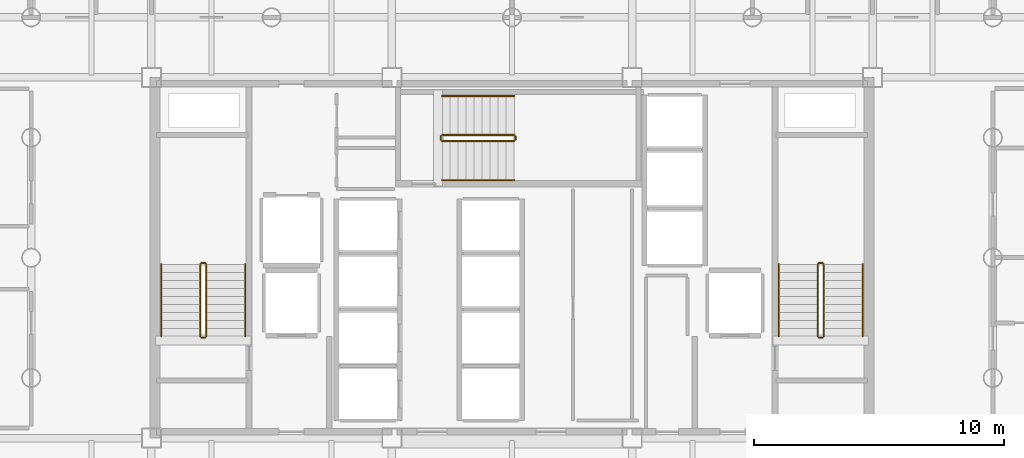
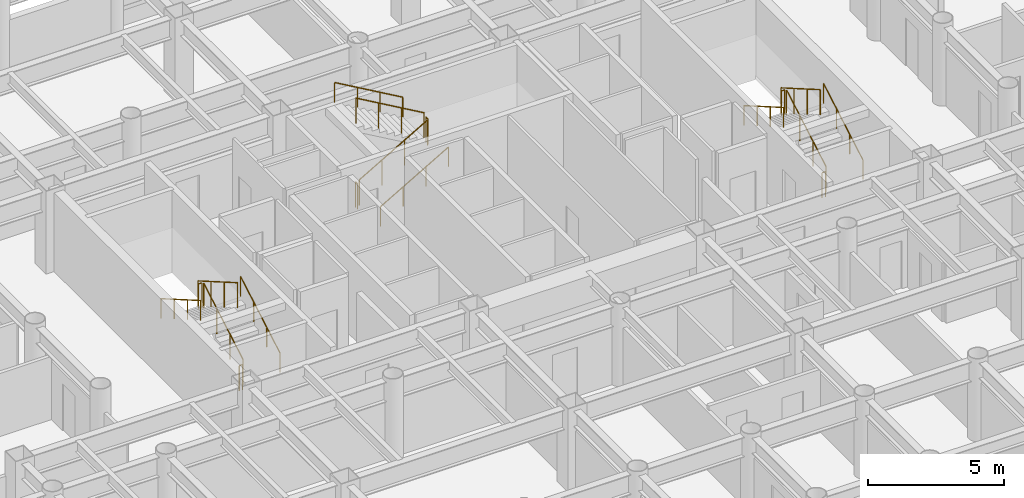
# One storey, part 21 of 21: 18 railings.
"""IFC4 building model written with IfcOpenShell, lengths in metres."""

from ifc_helpers import new_model, si_unit, direction, frame, origin, origin_2d, place, context, subcontext, project, spatial, circle, extrude, material, layer, layer_set, type_object, element, save


model = new_model("IFC4")

# Units and contexts
model_context = context("Model", 3, precision=1e-05, world=origin(), true_north=direction((0.0, 1.0)))
body_context = subcontext(model_context, "Body", "Model", "MODEL_VIEW")
ifc_project = project(units=[si_unit("LENGTHUNIT", "METRE"), si_unit("AREAUNIT", "SQUARE_METRE"), si_unit("VOLUMEUNIT", "CUBIC_METRE"), si_unit("PLANEANGLEUNIT", "RADIAN"), si_unit("MASSUNIT", "GRAM", prefix="KILO")], contexts=[model_context])

# Site, building, storey
site_placement = place(None, origin())
site = spatial("IfcSite", under=ifc_project, at=site_placement, CompositionType="ELEMENT")
building_placement = place(site_placement, origin())
building = spatial("IfcBuilding", under=site, at=building_placement, Name="Kallvorn Hotel Tower", CompositionType="ELEMENT")
storey_placement = place(building_placement, frame((0.0, 0.0, 41.10009765625)))
storey = spatial("IfcBuildingStorey", under=building, at=storey_placement, Name="L08", CompositionType="ELEMENT", Elevation=41.10009765625)

# Railings
ifc_material_1 = material(Name="Brushed stainless-steel tubular railing", Category="steel")
ifc_layer_1 = layer(ifc_material_1, 0.050048828125)
ifc_layer_set_1 = layer_set([ifc_layer_1], Name="RL_STAIR_GUARD")
railing_type_1 = type_object("IfcRailingType", Name="RL_STAIR_GUARD", PredefinedType="GUARDRAIL", material=ifc_layer_set_1)
railing_1_placement = place(storey_placement, frame((-12.2099609375, -3.139892578125, 0.184814453125)))
element("IfcRailing", 1, at=railing_1_placement, inside=storey, type_object=railing_type_1, Name="L08 ST1 stair guard 1", PredefinedType="GUARDRAIL", context=body_context, shape_type="SweptSolid", body=[
    extrude(circle(Radius=0.02392578125, at=origin_2d()), frame((0.0, 0.0, 1.1259765625), z_axis=(0.0, 0.865720918037, 0.500527014328), x_axis=(-1.0, 0.0, 0.0)), (0.0, 0.0, 1.0), 3.32666015625),
    extrude(circle(Radius=0.02099609375, at=origin_2d()), origin(), (0.0, 0.0, 1.0), 1.101806640625),
    extrude(circle(Radius=0.02099609375, at=origin_2d()), frame((0.0, 0.9599609375, 0.554931640625)), (0.0, 0.0, 1.0), 1.101806640625),
    extrude(circle(Radius=0.02099609375, at=origin_2d()), frame((0.0, 1.919921875, 1.110107421875)), (0.0, 0.0, 1.0), 1.101806640625),
    extrude(circle(Radius=0.02099609375, at=origin_2d()), frame((0.0, 2.8798828125, 1.6650390625)), (0.0, 0.0, 1.0), 1.101806640625),
])
railing_2_placement = place(storey_placement, frame((-12.260009765625, -0.2099609375, 1.849853515625)))
element("IfcRailing", 2, at=railing_2_placement, inside=storey, type_object=railing_type_1, Name="L08 ST1 stair guard 2", PredefinedType="GUARDRAIL", context=body_context, shape_type="SweptSolid", body=[
    extrude(circle(Radius=0.02392578125, at=origin_2d()), frame((0.0, 0.0, 1.1259765625), z_axis=(-1.0, 0.0, 0.0), x_axis=(0.0, -1.0, 0.0)), (0.0, 0.0, 1.0), 0.139892578125),
    extrude(circle(Radius=0.02099609375, at=origin_2d()), origin(), (0.0, 0.0, 1.0), 1.101806640625),
    extrude(circle(Radius=0.02099609375, at=origin_2d()), frame((-0.139892578125, 0.0, 0.0)), (0.0, 0.0, 1.0), 1.101806640625),
])
railing_3_placement = place(storey_placement, frame((-12.449951171875, -0.260009765625, 2.034912109375)))
element("IfcRailing", 3, at=railing_3_placement, inside=storey, type_object=railing_type_1, Name="L08 ST1 stair guard 3", PredefinedType="GUARDRAIL", context=body_context, shape_type="SweptSolid", body=[
    extrude(circle(Radius=0.02392578125, at=origin_2d()), frame((0.0, 0.0, 1.1259765625), z_axis=(0.0, -0.865720918037, 0.500527014328), x_axis=(1.0, 0.0, 0.0)), (0.0, 0.0, 1.0), 3.32666015625),
    extrude(circle(Radius=0.02099609375, at=origin_2d()), origin(), (0.0, 0.0, 1.0), 1.101806640625),
    extrude(circle(Radius=0.02099609375, at=origin_2d()), frame((0.0, -0.9599609375, 0.554931640625)), (0.0, 0.0, 1.0), 1.101806640625),
    extrude(circle(Radius=0.02099609375, at=origin_2d()), frame((0.0, -1.919921875, 1.110107421875)), (0.0, 0.0, 1.0), 1.101806640625),
    extrude(circle(Radius=0.02099609375, at=origin_2d()), frame((0.0, -2.8798828125, 1.6650390625)), (0.0, 0.0, 1.0), 1.101806640625),
])
railing_4_placement = place(storey_placement, frame((-12.260009765625, -3.18994140625, 0.0)))
element("IfcRailing", 4, at=railing_4_placement, inside=storey, type_object=railing_type_1, Name="L08 ST1 stair guard 4", PredefinedType="GUARDRAIL", context=body_context, shape_type="SweptSolid", body=[
    extrude(circle(Radius=0.02392578125, at=origin_2d()), frame((0.0, 0.0, 1.1259765625), z_axis=(-1.0, 0.0, 0.0), x_axis=(0.0, -1.0, 0.0)), (0.0, 0.0, 1.0), 0.139892578125),
    extrude(circle(Radius=0.02099609375, at=origin_2d()), origin(), (0.0, 0.0, 1.0), 1.101806640625),
    extrude(circle(Radius=0.02099609375, at=origin_2d()), frame((-0.139892578125, 0.0, 0.0)), (0.0, 0.0, 1.0), 1.101806640625),
])
railing_5_placement = place(storey_placement, frame((12.449951171875, -3.139892578125, 0.184814453125)))
element("IfcRailing", 5, at=railing_5_placement, inside=storey, type_object=railing_type_1, Name="L08 ST2 stair guard 1", PredefinedType="GUARDRAIL", context=body_context, shape_type="SweptSolid", body=[
    extrude(circle(Radius=0.02392578125, at=origin_2d()), frame((0.0, 0.0, 1.1259765625), z_axis=(0.0, 0.865720918037, 0.500527014328), x_axis=(-1.0, 0.0, 0.0)), (0.0, 0.0, 1.0), 3.32666015625),
    extrude(circle(Radius=0.02099609375, at=origin_2d()), origin(), (0.0, 0.0, 1.0), 1.101806640625),
    extrude(circle(Radius=0.02099609375, at=origin_2d()), frame((0.0, 0.9599609375, 0.554931640625)), (0.0, 0.0, 1.0), 1.101806640625),
    extrude(circle(Radius=0.02099609375, at=origin_2d()), frame((0.0, 1.919921875, 1.110107421875)), (0.0, 0.0, 1.0), 1.101806640625),
    extrude(circle(Radius=0.02099609375, at=origin_2d()), frame((0.0, 2.8798828125, 1.6650390625)), (0.0, 0.0, 1.0), 1.101806640625),
])
railing_6_placement = place(storey_placement, frame((12.39990234375, -0.2099609375, 1.849853515625)))
element("IfcRailing", 6, at=railing_6_placement, inside=storey, type_object=railing_type_1, Name="L08 ST2 stair guard 2", PredefinedType="GUARDRAIL", context=body_context, shape_type="SweptSolid", body=[
    extrude(circle(Radius=0.02392578125, at=origin_2d()), frame((0.0, 0.0, 1.1259765625), z_axis=(-1.0, 0.0, 0.0), x_axis=(0.0, -1.0, 0.0)), (0.0, 0.0, 1.0), 0.139892578125),
    extrude(circle(Radius=0.02099609375, at=origin_2d()), origin(), (0.0, 0.0, 1.0), 1.101806640625),
    extrude(circle(Radius=0.02099609375, at=origin_2d()), frame((-0.139892578125, 0.0, 0.0)), (0.0, 0.0, 1.0), 1.101806640625),
])
railing_7_placement = place(storey_placement, frame((12.2099609375, -0.260009765625, 2.034912109375)))
element("IfcRailing", 7, at=railing_7_placement, inside=storey, type_object=railing_type_1, Name="L08 ST2 stair guard 3", PredefinedType="GUARDRAIL", context=body_context, shape_type="SweptSolid", body=[
    extrude(circle(Radius=0.02392578125, at=origin_2d()), frame((0.0, 0.0, 1.1259765625), z_axis=(0.0, -0.865720918037, 0.500527014328), x_axis=(1.0, 0.0, 0.0)), (0.0, 0.0, 1.0), 3.32666015625),
    extrude(circle(Radius=0.02099609375, at=origin_2d()), origin(), (0.0, 0.0, 1.0), 1.101806640625),
    extrude(circle(Radius=0.02099609375, at=origin_2d()), frame((0.0, -0.9599609375, 0.554931640625)), (0.0, 0.0, 1.0), 1.101806640625),
    extrude(circle(Radius=0.02099609375, at=origin_2d()), frame((0.0, -1.919921875, 1.110107421875)), (0.0, 0.0, 1.0), 1.101806640625),
    extrude(circle(Radius=0.02099609375, at=origin_2d()), frame((0.0, -2.8798828125, 1.6650390625)), (0.0, 0.0, 1.0), 1.101806640625),
])
railing_8_placement = place(storey_placement, frame((12.39990234375, -3.18994140625, 0.0)))
element("IfcRailing", 8, at=railing_8_placement, inside=storey, type_object=railing_type_1, Name="L08 ST2 stair guard 4", PredefinedType="GUARDRAIL", context=body_context, shape_type="SweptSolid", body=[
    extrude(circle(Radius=0.02392578125, at=origin_2d()), frame((0.0, 0.0, 1.1259765625), z_axis=(-1.0, 0.0, 0.0), x_axis=(0.0, -1.0, 0.0)), (0.0, 0.0, 1.0), 0.139892578125),
    extrude(circle(Radius=0.02099609375, at=origin_2d()), origin(), (0.0, 0.0, 1.0), 1.101806640625),
    extrude(circle(Radius=0.02099609375, at=origin_2d()), frame((-0.139892578125, 0.0, 0.0)), (0.0, 0.0, 1.0), 1.101806640625),
])
railing_9_placement = place(storey_placement, frame((-2.7900390625, 4.659912109375, 0.184814453125)))
element("IfcRailing", 9, at=railing_9_placement, inside=storey, type_object=railing_type_1, Name="L08 ST3 stair guard 1", PredefinedType="GUARDRAIL", context=body_context, shape_type="SweptSolid", body=[
    extrude(circle(Radius=0.02392578125, at=origin_2d()), frame((0.0, 0.0, 1.1259765625), z_axis=(0.865739302748, 0.0, 0.50049521444), x_axis=(0.0, 1.0, 0.0)), (0.0, 0.0, 1.0), 3.326904296875),
    extrude(circle(Radius=0.02099609375, at=origin_2d()), origin(), (0.0, 0.0, 1.0), 1.101806640625),
    extrude(circle(Radius=0.02099609375, at=origin_2d()), frame((0.9599609375, 0.0, 0.554931640625)), (0.0, 0.0, 1.0), 1.101806640625),
    extrude(circle(Radius=0.02099609375, at=origin_2d()), frame((1.920166015625, 0.0, 1.110107421875)), (0.0, 0.0, 1.0), 1.101806640625),
    extrude(circle(Radius=0.02099609375, at=origin_2d()), frame((2.880126953125, 0.0, 1.6650390625)), (0.0, 0.0, 1.0), 1.101806640625),
])
railing_10_placement = place(storey_placement, frame((0.139892578125, 4.7099609375, 1.849853515625)))
element("IfcRailing", 10, at=railing_10_placement, inside=storey, type_object=railing_type_1, Name="L08 ST3 stair guard 2", PredefinedType="GUARDRAIL", context=body_context, shape_type="SweptSolid", body=[
    extrude(circle(Radius=0.02392578125, at=origin_2d()), frame((0.0, 0.0, 1.1259765625), z_axis=(0.0, 1.0, 0.0), x_axis=(-1.0, 0.0, 0.0)), (0.0, 0.0, 1.0), 0.14013671875),
    extrude(circle(Radius=0.02099609375, at=origin_2d()), origin(), (0.0, 0.0, 1.0), 1.101806640625),
    extrude(circle(Radius=0.02099609375, at=origin_2d()), frame((0.0, 0.14013671875, 0.0)), (0.0, 0.0, 1.0), 1.101806640625),
])
railing_11_placement = place(storey_placement, frame((0.090087890625, 4.89990234375, 2.034912109375)))
element("IfcRailing", 11, at=railing_11_placement, inside=storey, type_object=railing_type_1, Name="L08 ST3 stair guard 3", PredefinedType="GUARDRAIL", context=body_context, shape_type="SweptSolid", body=[
    extrude(circle(Radius=0.02392578125, at=origin_2d()), frame((0.0, 0.0, 1.1259765625), z_axis=(-0.865739302748, 0.0, 0.50049521444), x_axis=(0.0, -1.0, 0.0)), (0.0, 0.0, 1.0), 3.326904296875),
    extrude(circle(Radius=0.02099609375, at=origin_2d()), origin(), (0.0, 0.0, 1.0), 1.101806640625),
    extrude(circle(Radius=0.02099609375, at=origin_2d()), frame((-0.9599609375, 0.0, 0.554931640625)), (0.0, 0.0, 1.0), 1.101806640625),
    extrude(circle(Radius=0.02099609375, at=origin_2d()), frame((-1.920166015625, 0.0, 1.110107421875)), (0.0, 0.0, 1.0), 1.101806640625),
    extrude(circle(Radius=0.02099609375, at=origin_2d()), frame((-2.880126953125, 0.0, 1.6650390625)), (0.0, 0.0, 1.0), 1.101806640625),
])
railing_12_placement = place(storey_placement, frame((-2.840087890625, 4.7099609375, 0.0)))
element("IfcRailing", 12, at=railing_12_placement, inside=storey, type_object=railing_type_1, Name="L08 ST3 stair guard 4", PredefinedType="GUARDRAIL", context=body_context, shape_type="SweptSolid", body=[
    extrude(circle(Radius=0.02392578125, at=origin_2d()), frame((0.0, 0.0, 1.1259765625), z_axis=(0.0, 1.0, 0.0), x_axis=(-1.0, 0.0, 0.0)), (0.0, 0.0, 1.0), 0.14013671875),
    extrude(circle(Radius=0.02099609375, at=origin_2d()), origin(), (0.0, 0.0, 1.0), 1.101806640625),
    extrude(circle(Radius=0.02099609375, at=origin_2d()), frame((0.0, 0.14013671875, 0.0)), (0.0, 0.0, 1.0), 1.101806640625),
])
ifc_material_2 = material(Name="Brushed stainless-steel tubular railing", Category="steel")
ifc_layer_2 = layer(ifc_material_2, 0.050048828125)
ifc_layer_set_2 = layer_set([ifc_layer_2], Name="RL_STAIR_HAND")
railing_type_2 = type_object("IfcRailingType", Name="RL_STAIR_HAND", PredefinedType="HANDRAIL", material=ifc_layer_set_2)
railing_13_placement = place(storey_placement, frame((-10.64990234375, -3.139892578125, 0.184814453125)))
element("IfcRailing", 13, at=railing_13_placement, inside=storey, type_object=railing_type_2, Name="L08 ST1 stair handrail 1", PredefinedType="HANDRAIL", context=body_context, shape_type="SweptSolid", body=[
    extrude(circle(Radius=0.02392578125, at=origin_2d()), frame((0.0, 0.0, 0.8759765625), z_axis=(0.0, 0.865720918037, 0.500527014328), x_axis=(-1.0, 0.0, 0.0)), (0.0, 0.0, 1.0), 3.32666015625),
    extrude(circle(Radius=0.02099609375, at=origin_2d()), origin(), (0.0, 0.0, 1.0), 0.851806640625),
    extrude(circle(Radius=0.02099609375, at=origin_2d()), frame((0.0, 0.9599609375, 0.554931640625)), (0.0, 0.0, 1.0), 0.851806640625),
    extrude(circle(Radius=0.02099609375, at=origin_2d()), frame((0.0, 1.919921875, 1.110107421875)), (0.0, 0.0, 1.0), 0.851806640625),
    extrude(circle(Radius=0.02099609375, at=origin_2d()), frame((0.0, 2.8798828125, 1.6650390625)), (0.0, 0.0, 1.0), 0.851806640625),
])
railing_14_placement = place(storey_placement, frame((-14.010009765625, -0.260009765625, 2.034912109375)))
element("IfcRailing", 14, at=railing_14_placement, inside=storey, type_object=railing_type_2, Name="L08 ST1 stair handrail 2", PredefinedType="HANDRAIL", context=body_context, shape_type="SweptSolid", body=[
    extrude(circle(Radius=0.02392578125, at=origin_2d()), frame((0.0, 0.0, 0.8759765625), z_axis=(0.0, -0.865720918037, 0.500527014328), x_axis=(1.0, 0.0, 0.0)), (0.0, 0.0, 1.0), 3.32666015625),
    extrude(circle(Radius=0.02099609375, at=origin_2d()), origin(), (0.0, 0.0, 1.0), 0.851806640625),
    extrude(circle(Radius=0.02099609375, at=origin_2d()), frame((0.0, -0.9599609375, 0.554931640625)), (0.0, 0.0, 1.0), 0.851806640625),
    extrude(circle(Radius=0.02099609375, at=origin_2d()), frame((0.0, -1.919921875, 1.110107421875)), (0.0, 0.0, 1.0), 0.851806640625),
    extrude(circle(Radius=0.02099609375, at=origin_2d()), frame((0.0, -2.8798828125, 1.6650390625)), (0.0, 0.0, 1.0), 0.851806640625),
])
railing_15_placement = place(storey_placement, frame((14.010009765625, -3.139892578125, 0.184814453125)))
element("IfcRailing", 15, at=railing_15_placement, inside=storey, type_object=railing_type_2, Name="L08 ST2 stair handrail 1", PredefinedType="HANDRAIL", context=body_context, shape_type="SweptSolid", body=[
    extrude(circle(Radius=0.02392578125, at=origin_2d()), frame((0.0, 0.0, 0.8759765625), z_axis=(0.0, 0.865720918037, 0.500527014328), x_axis=(-1.0, 0.0, 0.0)), (0.0, 0.0, 1.0), 3.32666015625),
    extrude(circle(Radius=0.02099609375, at=origin_2d()), origin(), (0.0, 0.0, 1.0), 0.851806640625),
    extrude(circle(Radius=0.02099609375, at=origin_2d()), frame((0.0, 0.9599609375, 0.554931640625)), (0.0, 0.0, 1.0), 0.851806640625),
    extrude(circle(Radius=0.02099609375, at=origin_2d()), frame((0.0, 1.919921875, 1.110107421875)), (0.0, 0.0, 1.0), 0.851806640625),
    extrude(circle(Radius=0.02099609375, at=origin_2d()), frame((0.0, 2.8798828125, 1.6650390625)), (0.0, 0.0, 1.0), 0.851806640625),
])
railing_16_placement = place(storey_placement, frame((10.64990234375, -0.260009765625, 2.034912109375)))
element("IfcRailing", 16, at=railing_16_placement, inside=storey, type_object=railing_type_2, Name="L08 ST2 stair handrail 2", PredefinedType="HANDRAIL", context=body_context, shape_type="SweptSolid", body=[
    extrude(circle(Radius=0.02392578125, at=origin_2d()), frame((0.0, 0.0, 0.8759765625), z_axis=(0.0, -0.865720918037, 0.500527014328), x_axis=(1.0, 0.0, 0.0)), (0.0, 0.0, 1.0), 3.32666015625),
    extrude(circle(Radius=0.02099609375, at=origin_2d()), origin(), (0.0, 0.0, 1.0), 0.851806640625),
    extrude(circle(Radius=0.02099609375, at=origin_2d()), frame((0.0, -0.9599609375, 0.554931640625)), (0.0, 0.0, 1.0), 0.851806640625),
    extrude(circle(Radius=0.02099609375, at=origin_2d()), frame((0.0, -1.919921875, 1.110107421875)), (0.0, 0.0, 1.0), 0.851806640625),
    extrude(circle(Radius=0.02099609375, at=origin_2d()), frame((0.0, -2.8798828125, 1.6650390625)), (0.0, 0.0, 1.0), 0.851806640625),
])
railing_17_placement = place(storey_placement, frame((-2.7900390625, 3.10009765625, 0.184814453125)))
element("IfcRailing", 17, at=railing_17_placement, inside=storey, type_object=railing_type_2, Name="L08 ST3 stair handrail 1", PredefinedType="HANDRAIL", context=body_context, shape_type="SweptSolid", body=[
    extrude(circle(Radius=0.02392578125, at=origin_2d()), frame((0.0, 0.0, 0.8759765625), z_axis=(0.865739302748, 0.0, 0.50049521444), x_axis=(0.0, 1.0, 0.0)), (0.0, 0.0, 1.0), 3.326904296875),
    extrude(circle(Radius=0.02099609375, at=origin_2d()), origin(), (0.0, 0.0, 1.0), 0.851806640625),
    extrude(circle(Radius=0.02099609375, at=origin_2d()), frame((0.9599609375, 0.0, 0.554931640625)), (0.0, 0.0, 1.0), 0.851806640625),
    extrude(circle(Radius=0.02099609375, at=origin_2d()), frame((1.920166015625, 0.0, 1.110107421875)), (0.0, 0.0, 1.0), 0.851806640625),
    extrude(circle(Radius=0.02099609375, at=origin_2d()), frame((2.880126953125, 0.0, 1.6650390625)), (0.0, 0.0, 1.0), 0.851806640625),
])
railing_18_placement = place(storey_placement, frame((0.090087890625, 6.4599609375, 2.034912109375)))
element("IfcRailing", 18, at=railing_18_placement, inside=storey, type_object=railing_type_2, Name="L08 ST3 stair handrail 2", PredefinedType="HANDRAIL", context=body_context, shape_type="SweptSolid", body=[
    extrude(circle(Radius=0.02392578125, at=origin_2d()), frame((0.0, 0.0, 0.8759765625), z_axis=(-0.865739302748, 0.0, 0.50049521444), x_axis=(0.0, -1.0, 0.0)), (0.0, 0.0, 1.0), 3.326904296875),
    extrude(circle(Radius=0.02099609375, at=origin_2d()), origin(), (0.0, 0.0, 1.0), 0.851806640625),
    extrude(circle(Radius=0.02099609375, at=origin_2d()), frame((-0.9599609375, 0.0, 0.554931640625)), (0.0, 0.0, 1.0), 0.851806640625),
    extrude(circle(Radius=0.02099609375, at=origin_2d()), frame((-1.920166015625, 0.0, 1.110107421875)), (0.0, 0.0, 1.0), 0.851806640625),
    extrude(circle(Radius=0.02099609375, at=origin_2d()), frame((-2.880126953125, 0.0, 1.6650390625)), (0.0, 0.0, 1.0), 0.851806640625),
])

save(model, "model.ifc")
